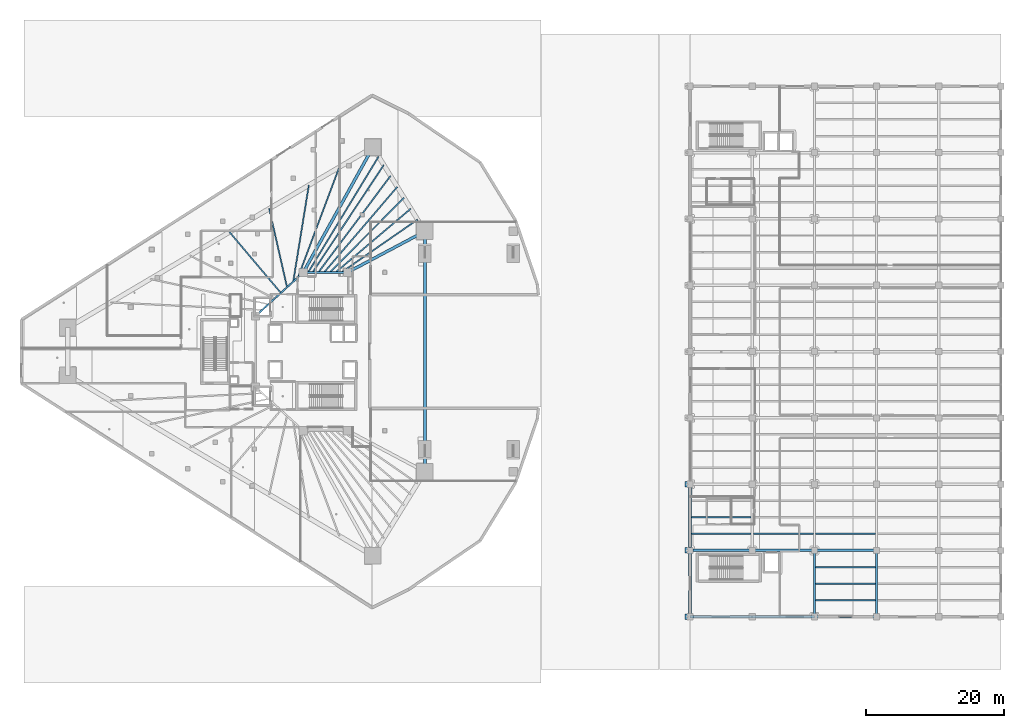
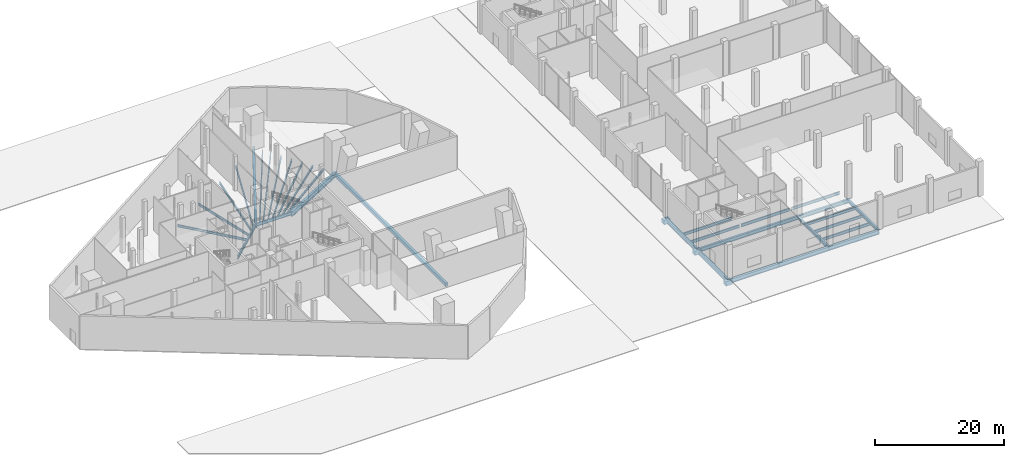
# One storey, part 2 of 45: 36 beams.
"""IFC4 building model written with IfcOpenShell, lengths in metres."""

from ifc_helpers import new_model, si_unit, direction, frame, origin, origin_2d, place, context, subcontext, project, spatial, rectangle, i_section, extrude, material, material_profile, profile_set, type_object, element, save


model = new_model("IFC4")

# Units and contexts
model_context = context("Model", 3, precision=1e-05, world=origin(), true_north=direction((0.0, 1.0)))
body_context = subcontext(model_context, "Body", "Model", "MODEL_VIEW")
ifc_project = project(units=[si_unit("LENGTHUNIT", "METRE"), si_unit("AREAUNIT", "SQUARE_METRE"), si_unit("VOLUMEUNIT", "CUBIC_METRE"), si_unit("PLANEANGLEUNIT", "RADIAN"), si_unit("MASSUNIT", "GRAM", prefix="KILO")], contexts=[model_context])

# Site, building, storey
site_placement = place(None, origin())
site = spatial("IfcSite", under=ifc_project, at=site_placement, CompositionType="ELEMENT")
building_placement = place(site_placement, origin())
building = spatial("IfcBuilding", under=site, at=building_placement, Name="Qorvath Tower", CompositionType="ELEMENT")
storey_placement = place(building_placement, origin())
storey = spatial("IfcBuildingStorey", under=building, at=storey_placement, Name="L00", CompositionType="ELEMENT", Elevation=0.0)

# Beams
ifc_material_1 = material(Name="Concrete C50/60", Category="concrete")
ifc_material_profile_1 = material_profile(ifc_material_1, rectangle(XDim=0.800048828125, YDim=0.800048828125, at=origin_2d()), Name="RC 800x800")
ifc_profile_set_1 = profile_set([ifc_material_profile_1], Name="Concrete C50/60")
beam_type_1 = type_object("IfcBeamType", Name="BM-CRB1", PredefinedType="BEAM", material=ifc_profile_set_1)
for number, where, z_axis, x_axis, name in (
    (1, (32.85009765625, -38.39990234375, -0.75), (-1.0, 0.0, 0.0), (0.0, -1.0, 0.0), "MJ-1 RC Bearing Corbel Bracket 01"),
    (2, (32.85009765625, -28.800048828125, -0.75), (-1.0, 0.0, 0.0), (0.0, -1.0, 0.0), "MJ-1 RC Bearing Corbel Bracket 02"),
    (3, (32.85009765625, -19.199951171875, -0.75), (-1.0, 0.0, 0.0), (0.0, -1.0, 0.0), "MJ-1 RC Bearing Corbel Bracket 03"),
):
    element("IfcBeam", number, at=place(storey_placement, frame(where, z_axis=z_axis, x_axis=x_axis)), inside=storey, type_object=beam_type_1, Name=name, PredefinedType="BEAM", context=body_context, shape_type="SweptSolid", body=[
        extrude(rectangle(XDim=0.800048828125, YDim=0.800048828125, at=origin_2d()), origin(), (0.0, 0.0, 1.0), 1.150146484375),
    ])
ifc_material_2 = material(Name="Steel ASTM A992 Grade 50", Category="steel")
ifc_material_profile_2 = material_profile(ifc_material_2, i_section(OverallWidth=0.422119140625, OverallDepth=0.93310546875, WebThickness=0.021240234375, FlangeThickness=0.039794921875, FilletRadius=0.02392578125, at=origin_2d()), Name="W36x262")
ifc_profile_set_2 = profile_set([ifc_material_profile_2], Name="Steel ASTM A992 Grade 50")
beam_type_2 = type_object("IfcBeamType", Name="BM-FG1", PredefinedType="BEAM", material=ifc_profile_set_2)
beam_1_placement = place(storey_placement, frame((-23.60009765625, 11.449951171875, -0.7666015625), z_axis=(0.486174725137, 0.873861623278, 0.0), x_axis=(-0.873861623278, 0.486174725137, 0.0)))
element("IfcBeam", 4, at=beam_1_placement, inside=storey, type_object=beam_type_2, Name="Radial Floor Girder CC1-MC6 L00", PredefinedType="BEAM", context=body_context, shape_type="SweptSolid", body=[
    extrude(i_section(OverallWidth=0.422119140625, OverallDepth=0.93310546875, WebThickness=0.021240234375, FlangeThickness=0.039794921875, FilletRadius=0.02392578125, at=origin_2d()), origin(), (0.0, 0.0, 1.0), 20.7333984375),
])
beam_2_placement = place(storey_placement, frame((-17.199951171875, 11.449951171875, -0.7666015625), z_axis=(0.883116467191, 0.469153818461, 0.0), x_axis=(-0.469153818461, 0.883116467191, 0.0)))
element("IfcBeam", 5, at=beam_2_placement, inside=storey, type_object=beam_type_2, Name="Radial Floor Girder CC2-MC5 L00", PredefinedType="BEAM", context=body_context, shape_type="SweptSolid", body=[
    extrude(i_section(OverallWidth=0.422119140625, OverallDepth=0.93310546875, WebThickness=0.021240234375, FlangeThickness=0.039794921875, FilletRadius=0.02392578125, at=origin_2d()), origin(), (0.0, 0.0, 1.0), 12.682373046875),
])
ifc_material_3 = material(Name="Steel ASTM A992 Grade 50", Category="steel")
ifc_material_profile_3 = material_profile(ifc_material_3, i_section(OverallWidth=0.381103515625, OverallDepth=0.77294921875, WebThickness=0.0166015625, FlangeThickness=0.027099609375, FilletRadius=0.01904296875, at=origin_2d()), Name="W30x173")
ifc_profile_set_3 = profile_set([ifc_material_profile_3], Name="Steel ASTM A992 Grade 50")
beam_type_3 = type_object("IfcBeamType", Name="BM-FG3", PredefinedType="BEAM", material=ifc_profile_set_3)
for number, where, z_axis, x_axis, name in (
    (6, (32.39990234375, -38.39990234375, -0.6865234375), (1.0, 0.0, 0.0), (0.0, 1.0, 0.0), "Library E-W Girder L00-1-1"),
    (7, (41.39990234375, -38.39990234375, -0.6865234375), (1.0, 0.0, 0.0), (0.0, 1.0, 0.0), "Library E-W Girder L00-1-2"),
    (8, (50.39990234375, -38.39990234375, -0.6865234375), (1.0, 0.0, 0.0), (0.0, 1.0, 0.0), "Library E-W Girder L00-1-3"),
):
    element("IfcBeam", number, at=place(storey_placement, frame(where, z_axis=z_axis, x_axis=x_axis)), inside=storey, type_object=beam_type_3, Name=name, PredefinedType="BEAM", context=body_context, shape_type="SweptSolid", body=[
        extrude(i_section(OverallWidth=0.381103515625, OverallDepth=0.77294921875, WebThickness=0.0166015625, FlangeThickness=0.027099609375, FilletRadius=0.01904296875, at=origin_2d()), origin(), (0.0, 0.0, 1.0), 9.0),
    ])
beam_3_placement = place(storey_placement, frame((32.39990234375, -38.39990234375, -0.6865234375), z_axis=(0.0, 1.0, 0.0), x_axis=(-1.0, 0.0, 0.0)))
element("IfcBeam", 9, at=beam_3_placement, inside=storey, type_object=beam_type_3, Name="Library N-S Girder L00-1-1", PredefinedType="BEAM", context=body_context, shape_type="SweptSolid", body=[
    extrude(i_section(OverallWidth=0.381103515625, OverallDepth=0.77294921875, WebThickness=0.0166015625, FlangeThickness=0.027099609375, FilletRadius=0.01904296875, at=origin_2d()), origin(), (0.0, 0.0, 1.0), 9.599853515625),
])
beam_4_placement = place(storey_placement, frame((32.39990234375, -28.800048828125, -0.6865234375), z_axis=(0.0, 1.0, 0.0), x_axis=(-1.0, 0.0, 0.0)))
element("IfcBeam", 10, at=beam_4_placement, inside=storey, type_object=beam_type_3, Name="Library N-S Girder L00-1-2", PredefinedType="BEAM", context=body_context, shape_type="SweptSolid", body=[
    extrude(i_section(OverallWidth=0.381103515625, OverallDepth=0.77294921875, WebThickness=0.0166015625, FlangeThickness=0.027099609375, FilletRadius=0.01904296875, at=origin_2d()), origin(), (0.0, 0.0, 1.0), 9.60009765625),
])
ifc_material_4 = material(Name="Steel ASTM A992 Grade 50", Category="steel")
ifc_material_profile_4 = material_profile(ifc_material_4, i_section(OverallWidth=0.35595703125, OverallDepth=0.696044921875, WebThickness=0.015380859375, FlangeThickness=0.02490234375, FilletRadius=0.01806640625, at=origin_2d()), Name="W27x146")
ifc_profile_set_4 = profile_set([ifc_material_profile_4], Name="Steel ASTM A992 Grade 50")
beam_type_4 = type_object("IfcBeamType", Name="BM-FG4", PredefinedType="BEAM", material=ifc_profile_set_4)
for number, where, z_axis, x_axis, name in (
    (11, (32.39990234375, -28.800048828125, -0.64794921875), (1.0, 0.0, 0.0), (0.0, 1.0, 0.0), "Library E-W Girder L00-2-1"),
    (12, (41.39990234375, -28.800048828125, -0.64794921875), (1.0, 0.0, 0.0), (0.0, 1.0, 0.0), "Library E-W Girder L00-2-2"),
    (13, (50.39990234375, -28.800048828125, -0.64794921875), (1.0, 0.0, 0.0), (0.0, 1.0, 0.0), "Library E-W Girder L00-2-3"),
):
    element("IfcBeam", number, at=place(storey_placement, frame(where, z_axis=z_axis, x_axis=x_axis)), inside=storey, type_object=beam_type_4, Name=name, PredefinedType="BEAM", context=body_context, shape_type="SweptSolid", body=[
        extrude(i_section(OverallWidth=0.35595703125, OverallDepth=0.696044921875, WebThickness=0.015380859375, FlangeThickness=0.02490234375, FilletRadius=0.01806640625, at=origin_2d()), origin(), (0.0, 0.0, 1.0), 9.0),
    ])
ifc_material_5 = material(Name="Steel ASTM A992 Grade 50", Category="steel")
ifc_material_profile_5 = material_profile(ifc_material_5, i_section(OverallWidth=0.324951171875, OverallDepth=0.615966796875, WebThickness=0.013916015625, FlangeThickness=0.021484375, FilletRadius=0.01611328125, at=origin_2d()), Name="W24x117")
ifc_profile_set_5 = profile_set([ifc_material_profile_5], Name="Steel ASTM A992 Grade 50")
beam_type_5 = type_object("IfcBeamType", Name="BM-FG5", PredefinedType="BEAM", material=ifc_profile_set_5)
for number, where, z_axis, x_axis, name in (
    (14, (50.39990234375, -38.39990234375, -0.60791015625), (0.0, 1.0, 0.0), (-1.0, 0.0, 0.0), "Library N-S Girder L00-3-1"),
    (15, (59.39990234375, -38.39990234375, -0.60791015625), (0.0, 1.0, 0.0), (-1.0, 0.0, 0.0), "Library N-S Girder L00-4-1"),
):
    element("IfcBeam", number, at=place(storey_placement, frame(where, z_axis=z_axis, x_axis=x_axis)), inside=storey, type_object=beam_type_5, Name=name, PredefinedType="BEAM", context=body_context, shape_type="SweptSolid", body=[
        extrude(i_section(OverallWidth=0.324951171875, OverallDepth=0.615966796875, WebThickness=0.013916015625, FlangeThickness=0.021484375, FilletRadius=0.01611328125, at=origin_2d()), origin(), (0.0, 0.0, 1.0), 9.599853515625),
    ])
ifc_material_6 = material(Name="Steel ASTM A992 Grade 50", Category="steel")
ifc_material_profile_6 = material_profile(ifc_material_6, i_section(OverallWidth=0.22998046875, OverallDepth=0.616943359375, WebThickness=0.01318359375, FlangeThickness=0.022216796875, FilletRadius=0.014892578125, at=origin_2d()), Name="W24x94")
ifc_profile_set_6 = profile_set([ifc_material_profile_6], Name="Steel ASTM A992 Grade 50")
beam_type_6 = type_object("IfcBeamType", Name="BM-FG6", PredefinedType="BEAM", material=ifc_profile_set_6)
beam_5_placement = place(storey_placement, frame((-23.60009765625, 11.449951171875, -0.6083984375), z_axis=(1.0, 0.0, 0.0), x_axis=(0.0, 1.0, 0.0)))
element("IfcBeam", 16, at=beam_5_placement, inside=storey, type_object=beam_type_6, Name="Core Ring Girder CC1-CC2 L00", PredefinedType="BEAM", context=body_context, shape_type="SweptSolid", body=[
    extrude(i_section(OverallWidth=0.22998046875, OverallDepth=0.616943359375, WebThickness=0.01318359375, FlangeThickness=0.022216796875, FilletRadius=0.014892578125, at=origin_2d()), origin(), (0.0, 0.0, 1.0), 6.400146484375),
])
beam_6_placement = place(storey_placement, frame((-30.5, 5.14990234375, -0.6083984375), z_axis=(0.73847813985, 0.6742774184, 0.0), x_axis=(-0.6742774184, 0.73847813985, 0.0)))
element("IfcBeam", 17, at=beam_6_placement, inside=storey, type_object=beam_type_6, Name="Core Ring Girder CC5-CC1 L00", PredefinedType="BEAM", context=body_context, shape_type="SweptSolid", body=[
    extrude(i_section(OverallWidth=0.22998046875, OverallDepth=0.616943359375, WebThickness=0.01318359375, FlangeThickness=0.022216796875, FilletRadius=0.014892578125, at=origin_2d()), origin(), (0.0, 0.0, 1.0), 9.343505859375),
])
ifc_material_7 = material(Name="Steel ASTM A992 Grade 50", Category="steel")
ifc_material_profile_7 = material_profile(ifc_material_7, i_section(OverallWidth=0.2119140625, OverallDepth=0.5439453125, WebThickness=0.01318359375, FlangeThickness=0.021240234375, FilletRadius=0.013916015625, at=origin_2d()), Name="W21x83")
ifc_profile_set_7 = profile_set([ifc_material_profile_7], Name="Steel ASTM A992 Grade 50")
beam_type_7 = type_object("IfcBeamType", Name="BM-FJ1", PredefinedType="JOIST", material=ifc_profile_set_7)
for number, where, z_axis, x_axis, name in (
    (18, (50.560546875, -36.0, -0.572021484375), (1.0, 0.0, 0.0), (0.0, 1.0, 0.0), "Library Stack Joist L00-1.1-3"),
    (19, (50.560546875, -33.60009765625, -0.572021484375), (1.0, 0.0, 0.0), (0.0, 1.0, 0.0), "Library Stack Joist L00-1.2-3"),
    (20, (50.560546875, -31.199951171875, -0.572021484375), (1.0, 0.0, 0.0), (0.0, 1.0, 0.0), "Library Stack Joist L00-1.3-3"),
):
    element("IfcBeam", number, at=place(storey_placement, frame(where, z_axis=z_axis, x_axis=x_axis)), inside=storey, type_object=beam_type_7, Name=name, PredefinedType="JOIST", context=body_context, shape_type="SweptSolid", body=[
        extrude(i_section(OverallWidth=0.2119140625, OverallDepth=0.5439453125, WebThickness=0.01318359375, FlangeThickness=0.021240234375, FilletRadius=0.013916015625, at=origin_2d()), origin(), (0.0, 0.0, 1.0), 8.678955078125),
    ])
beam_7_placement = place(storey_placement, frame((32.58837890625, -26.39990234375, -0.572021484375), z_axis=(1.0, 0.0, 0.0), x_axis=(0.0, 1.0, 0.0)))
element("IfcBeam", 21, at=beam_7_placement, inside=storey, type_object=beam_type_7, Name="Library Stack Joist L00-2.1-1", PredefinedType="JOIST", context=body_context, shape_type="SweptSolid", body=[
    extrude(i_section(OverallWidth=0.2119140625, OverallDepth=0.5439453125, WebThickness=0.01318359375, FlangeThickness=0.021240234375, FilletRadius=0.013916015625, at=origin_2d()), origin(), (0.0, 0.0, 1.0), 8.651123046875),
])
for number, where, z_axis, x_axis, name in (
    (22, (41.560546875, -26.39990234375, -0.572021484375), (1.0, 0.0, 0.0), (0.0, 1.0, 0.0), "Library Stack Joist L00-2.1-2"),
    (23, (50.560546875, -26.39990234375, -0.572021484375), (1.0, 0.0, 0.0), (0.0, 1.0, 0.0), "Library Stack Joist L00-2.1-3"),
):
    element("IfcBeam", number, at=place(storey_placement, frame(where, z_axis=z_axis, x_axis=x_axis)), inside=storey, type_object=beam_type_7, Name=name, PredefinedType="JOIST", context=body_context, shape_type="SweptSolid", body=[
        extrude(i_section(OverallWidth=0.2119140625, OverallDepth=0.5439453125, WebThickness=0.01318359375, FlangeThickness=0.021240234375, FilletRadius=0.013916015625, at=origin_2d()), origin(), (0.0, 0.0, 1.0), 8.678955078125),
    ])
beam_8_placement = place(storey_placement, frame((32.58837890625, -24.0, -0.572021484375), z_axis=(1.0, 0.0, 0.0), x_axis=(0.0, 1.0, 0.0)))
element("IfcBeam", 24, at=beam_8_placement, inside=storey, type_object=beam_type_7, Name="Library Stack Joist L00-2.2-1", PredefinedType="JOIST", context=body_context, shape_type="SweptSolid", body=[
    extrude(i_section(OverallWidth=0.2119140625, OverallDepth=0.5439453125, WebThickness=0.01318359375, FlangeThickness=0.021240234375, FilletRadius=0.013916015625, at=origin_2d()), origin(), (0.0, 0.0, 1.0), 8.651123046875),
])
ifc_material_8 = material(Name="Steel ASTM A992 Grade 50", Category="steel")
ifc_material_profile_8 = material_profile(ifc_material_8, i_section(OverallWidth=0.18994140625, OverallDepth=0.45703125, WebThickness=0.009033203125, FlangeThickness=0.014404296875, FilletRadius=0.011962890625, at=origin_2d()), Name="W18x50")
ifc_profile_set_8 = profile_set([ifc_material_profile_8], Name="Steel ASTM A992 Grade 50")
beam_type_8 = type_object("IfcBeamType", Name="BM-FJ2", PredefinedType="JOIST", material=ifc_profile_set_8)
beam_9_placement = place(storey_placement, frame((-18.095947265625, 11.449951171875, -0.528564453125), z_axis=(0.821904266501, 0.569625646111, 0.0), x_axis=(-0.569625646111, 0.821904266501, 0.0)))
element("IfcBeam", 25, at=beam_9_placement, inside=storey, type_object=beam_type_8, Name="Composite Floor Joist NE1 L00", PredefinedType="JOIST", context=body_context, shape_type="SweptSolid", body=[
    extrude(i_section(OverallWidth=0.18994140625, OverallDepth=0.45703125, WebThickness=0.009033203125, FlangeThickness=0.014404296875, FilletRadius=0.011962890625, at=origin_2d()), origin(), (0.0, 0.0, 1.0), 13.43603515625),
])
beam_10_placement = place(storey_placement, frame((-18.927978515625, 11.449951171875, -0.528564453125), z_axis=(0.762888170757, 0.646530462483, 0.0), x_axis=(-0.646530462483, 0.762888170757, 0.0)))
element("IfcBeam", 26, at=beam_10_placement, inside=storey, type_object=beam_type_8, Name="Composite Floor Joist NE2 L00", PredefinedType="JOIST", context=body_context, shape_type="SweptSolid", body=[
    extrude(i_section(OverallWidth=0.18994140625, OverallDepth=0.45703125, WebThickness=0.009033203125, FlangeThickness=0.014404296875, FilletRadius=0.011962890625, at=origin_2d()), origin(), (0.0, 0.0, 1.0), 14.284423828125),
])
beam_11_placement = place(storey_placement, frame((-19.760009765625, 11.449951171875, -0.528564453125), z_axis=(0.704966562097, 0.709240541935, 0.0), x_axis=(-0.709240541935, 0.704966562097, 0.0)))
element("IfcBeam", 27, at=beam_11_placement, inside=storey, type_object=beam_type_8, Name="Composite Floor Joist NE3 L00", PredefinedType="JOIST", context=body_context, shape_type="SweptSolid", body=[
    extrude(i_section(OverallWidth=0.18994140625, OverallDepth=0.45703125, WebThickness=0.009033203125, FlangeThickness=0.014404296875, FilletRadius=0.011962890625, at=origin_2d()), origin(), (0.0, 0.0, 1.0), 15.251708984375),
])
beam_12_placement = place(storey_placement, frame((-20.592041015625, 11.449951171875, -0.528564453125), z_axis=(0.650034471724, 0.759904721376, 0.0), x_axis=(-0.759904721376, 0.650034471724, 0.0)))
element("IfcBeam", 28, at=beam_12_placement, inside=storey, type_object=beam_type_8, Name="Composite Floor Joist NE4 L00", PredefinedType="JOIST", context=body_context, shape_type="SweptSolid", body=[
    extrude(i_section(OverallWidth=0.18994140625, OverallDepth=0.45703125, WebThickness=0.009033203125, FlangeThickness=0.014404296875, FilletRadius=0.011962890625, at=origin_2d()), origin(), (0.0, 0.0, 1.0), 16.316650390625),
])
beam_13_placement = place(storey_placement, frame((-21.424072265625, 11.449951171875, -0.528564453125), z_axis=(0.599091356813, 0.800680676794, 0.0), x_axis=(-0.800680676794, 0.599091356813, 0.0)))
element("IfcBeam", 29, at=beam_13_placement, inside=storey, type_object=beam_type_8, Name="Composite Floor Joist NE5 L00", PredefinedType="JOIST", context=body_context, shape_type="SweptSolid", body=[
    extrude(i_section(OverallWidth=0.18994140625, OverallDepth=0.45703125, WebThickness=0.009033203125, FlangeThickness=0.014404296875, FilletRadius=0.011962890625, at=origin_2d()), origin(), (0.0, 0.0, 1.0), 17.46142578125),
])
beam_14_placement = place(storey_placement, frame((-22.256103515625, 11.449951171875, -0.528564453125), z_axis=(0.552474288131, 0.833529940047, 0.0), x_axis=(-0.833529940047, 0.552474288131, 0.0)))
element("IfcBeam", 30, at=beam_14_placement, inside=storey, type_object=beam_type_8, Name="Composite Floor Joist NE6 L00", PredefinedType="JOIST", context=body_context, shape_type="SweptSolid", body=[
    extrude(i_section(OverallWidth=0.18994140625, OverallDepth=0.45703125, WebThickness=0.009033203125, FlangeThickness=0.014404296875, FilletRadius=0.011962890625, at=origin_2d()), origin(), (0.0, 0.0, 1.0), 18.6708984375),
])
beam_15_placement = place(storey_placement, frame((-22.89599609375, 11.449951171875, -0.528564453125), z_axis=(0.519556443318, 0.854436131145, 0.0), x_axis=(-0.854436131145, 0.519556443318, 0.0)))
element("IfcBeam", 31, at=beam_15_placement, inside=storey, type_object=beam_type_8, Name="Composite Floor Joist NE7 L00", PredefinedType="JOIST", context=body_context, shape_type="SweptSolid", body=[
    extrude(i_section(OverallWidth=0.18994140625, OverallDepth=0.45703125, WebThickness=0.009033203125, FlangeThickness=0.014404296875, FilletRadius=0.011962890625, at=origin_2d()), origin(), (0.0, 0.0, 1.0), 19.63818359375),
])
beam_16_placement = place(storey_placement, frame((-26.843017578125, 8.489013671875, -0.528564453125), z_axis=(-0.644958726494, 0.764217404355, 0.0), x_axis=(-0.764217404355, -0.644958726494, 0.0)))
element("IfcBeam", 32, at=beam_16_placement, inside=storey, type_object=beam_type_8, Name="Composite Floor Joist NW4 L00", PredefinedType="JOIST", context=body_context, shape_type="SweptSolid", body=[
    extrude(i_section(OverallWidth=0.18994140625, OverallDepth=0.45703125, WebThickness=0.009033203125, FlangeThickness=0.014404296875, FilletRadius=0.011962890625, at=origin_2d()), origin(), (0.0, 0.0, 1.0), 11.5234375),
])
beam_17_placement = place(storey_placement, frame((-25.946044921875, 9.30810546875, -0.528564453125), z_axis=(-0.221751282053, 0.975103260639, 0.0), x_axis=(-0.975103260639, -0.221751282053, 0.0)))
element("IfcBeam", 33, at=beam_17_placement, inside=storey, type_object=beam_type_8, Name="Composite Floor Joist NW5 L00", PredefinedType="JOIST", context=body_context, shape_type="SweptSolid", body=[
    extrude(i_section(OverallWidth=0.18994140625, OverallDepth=0.45703125, WebThickness=0.009033203125, FlangeThickness=0.014404296875, FilletRadius=0.011962890625, at=origin_2d()), origin(), (0.0, 0.0, 1.0), 11.67236328125),
])
beam_18_placement = place(storey_placement, frame((-25.049072265625, 10.126953125, -0.528564453125), z_axis=(0.159519083064, 0.987194845073, 0.0), x_axis=(-0.987194845073, 0.159519083064, 0.0)))
element("IfcBeam", 34, at=beam_18_placement, inside=storey, type_object=beam_type_8, Name="Composite Floor Joist NW6 L00", PredefinedType="JOIST", context=body_context, shape_type="SweptSolid", body=[
    extrude(i_section(OverallWidth=0.18994140625, OverallDepth=0.45703125, WebThickness=0.009033203125, FlangeThickness=0.014404296875, FilletRadius=0.011962890625, at=origin_2d()), origin(), (0.0, 0.0, 1.0), 14.138671875),
])
beam_19_placement = place(storey_placement, frame((-24.35888671875, 10.757080078125, -0.528564453125), z_axis=(0.351338742889, 0.936248411344, 0.0), x_axis=(-0.936248411344, 0.351338742889, 0.0)))
element("IfcBeam", 35, at=beam_19_placement, inside=storey, type_object=beam_type_8, Name="Composite Floor Joist NW7 L00", PredefinedType="JOIST", context=body_context, shape_type="SweptSolid", body=[
    extrude(i_section(OverallWidth=0.18994140625, OverallDepth=0.45703125, WebThickness=0.009033203125, FlangeThickness=0.014404296875, FilletRadius=0.011962890625, at=origin_2d()), origin(), (0.0, 0.0, 1.0), 17.02392578125),
])
ifc_material_9 = material(Name="Concrete C45/55", Category="concrete")
ifc_material_profile_9 = material_profile(ifc_material_9, rectangle(XDim=0.449951171875, YDim=0.64990234375, at=origin_2d()), Name="RCB 650x450")
ifc_profile_set_9 = profile_set([ifc_material_profile_9], Name="Concrete C45/55")
beam_type_9 = type_object("IfcBeamType", Name="BM-RCB4", PredefinedType="LINTEL", material=ifc_profile_set_9)
beam_20_placement = place(storey_placement, frame((-6.0, -17.39990234375, -0.625), z_axis=(0.0, 1.0, 0.0), x_axis=(-1.0, 0.0, 0.0)))
element("IfcBeam", 36, at=beam_20_placement, inside=storey, type_object=beam_type_9, Name="Slot Portal Lintel Beam L00", PredefinedType="LINTEL", context=body_context, shape_type="SweptSolid", body=[
    extrude(rectangle(XDim=0.449951171875, YDim=0.64990234375, at=origin_2d()), origin(), (0.0, 0.0, 1.0), 34.7998046875),
])

save(model, "model.ifc")
